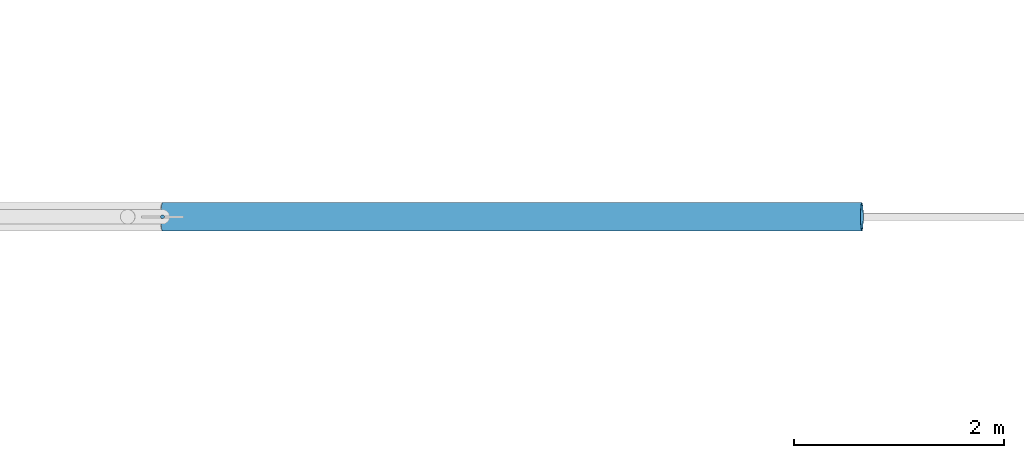
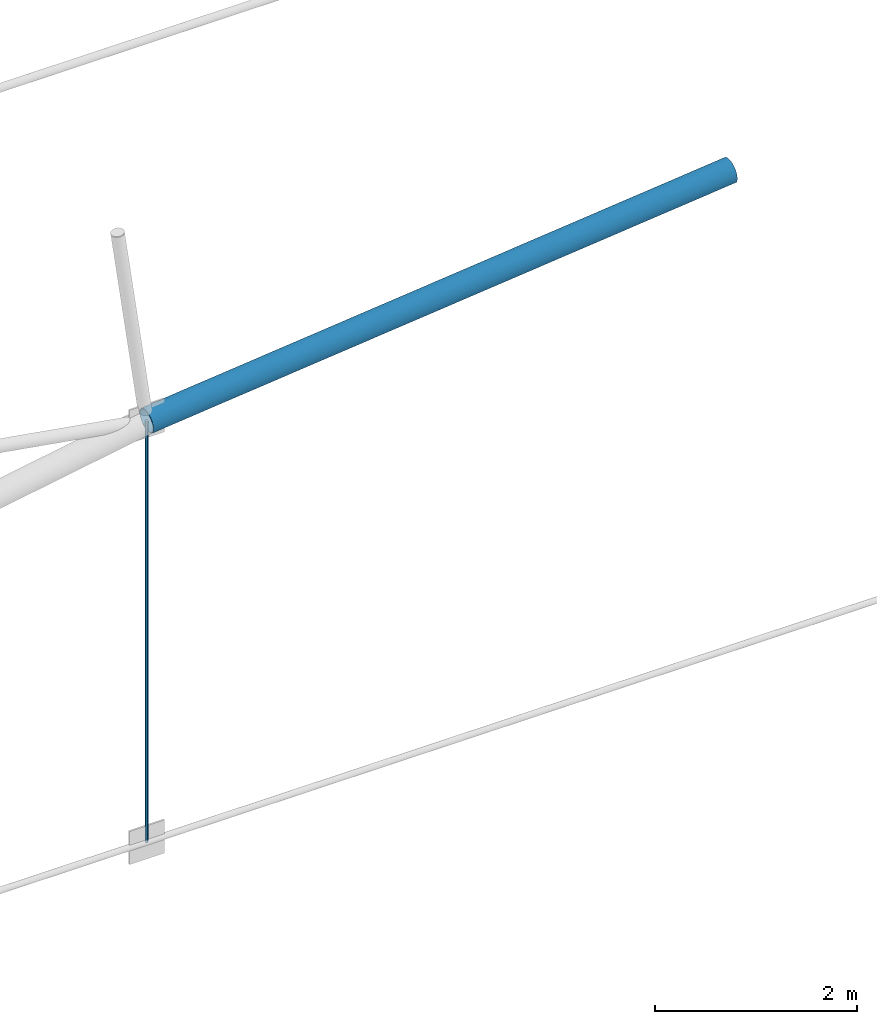
# One storey, part 36 of 321: 2 members.
"""IFC4 building model written with IfcOpenShell, lengths in metres."""

from ifc_helpers import new_model, si_unit, direction, frame, origin, origin_2d, place, context, subcontext, project, spatial, circle, hollow_circle, extrude, material, material_profile, profile_set, type_object, element, save


model = new_model("IFC4")

# Units and contexts
model_context = context("Model", 3, precision=1e-05, world=origin(), true_north=direction((0.0, 1.0)))
body_context = subcontext(model_context, "Body", "Model", "MODEL_VIEW")
ifc_project = project(units=[si_unit("LENGTHUNIT", "METRE"), si_unit("AREAUNIT", "SQUARE_METRE"), si_unit("VOLUMEUNIT", "CUBIC_METRE"), si_unit("PLANEANGLEUNIT", "RADIAN"), si_unit("MASSUNIT", "GRAM", prefix="KILO")], contexts=[model_context])

# Site, building, storey
site_placement = place(None, origin())
site = spatial("IfcSite", under=ifc_project, at=site_placement, CompositionType="ELEMENT")
building_placement = place(site_placement, origin())
building = spatial("IfcBuilding", under=site, at=building_placement, Name="Ravi Spectrum Wholesale Market", CompositionType="ELEMENT")
storey_placement = place(building_placement, frame((0.0, 0.0, 10.800048828125)))
storey = spatial("IfcBuildingStorey", under=building, at=storey_placement, Name="L02", CompositionType="ELEMENT", Elevation=10.800048828125)

# Members
ifc_material_1 = material(Name="Steel S355", Category="steel")
ifc_material_profile_1 = material_profile(ifc_material_1, hollow_circle(Radius=0.136474609375, WallThickness=0.010009765625, at=origin_2d()))
ifc_profile_set_1 = profile_set([ifc_material_profile_1], Name="Steel S355")
member_type_1 = type_object("IfcMemberType", Name="CHS 273x10 chord", PredefinedType="CHORD", material=ifc_profile_set_1)
member_1_placement = place(storey_placement, frame((56.648193359375, 66.0, 5.1025390625), z_axis=(0.994646786479, 0.0, 0.103333296414), x_axis=(0.0, 1.0, 0.0)))
element("IfcMember", 1, at=member_1_placement, inside=storey, type_object=member_type_1, Name="H1-MB-L02-290", PredefinedType="CHORD", context=body_context, shape_type="SweptSolid", body=[
    extrude(hollow_circle(Radius=0.136474609375, WallThickness=0.010009765625, at=origin_2d()), origin(), (0.0, 0.0, 1.0), 6.69580078125),
])
ifc_material_2 = material(Name="Steel S355", Category="steel")
ifc_material_profile_2 = material_profile(ifc_material_2, circle(Radius=0.01806640625, at=origin_2d()))
ifc_profile_set_2 = profile_set([ifc_material_profile_2], Name="Steel S355")
member_type_2 = type_object("IfcMemberType", Name="ROD 36 hanger", PredefinedType="STRUT", material=ifc_profile_set_2)
member_2_placement = place(storey_placement, frame((56.648193359375, 66.0, 0.023193359375), z_axis=(0.0, 0.0, 1.0), x_axis=(1.0, 0.0, 0.0)))
element("IfcMember", 2, at=member_2_placement, inside=storey, type_object=member_type_2, Name="H1-MB-L02-321", PredefinedType="STRUT", context=body_context, shape_type="SweptSolid", body=[
    extrude(circle(Radius=0.01806640625, at=origin_2d()), origin(), (0.0, 0.0, 1.0), 5.079345703125),
])

save(model, "model.ifc")
